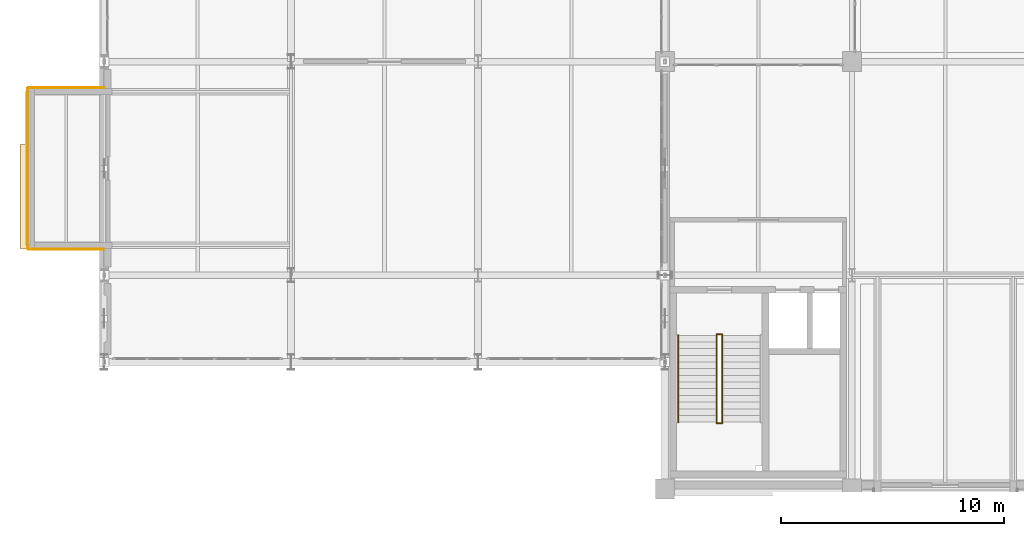
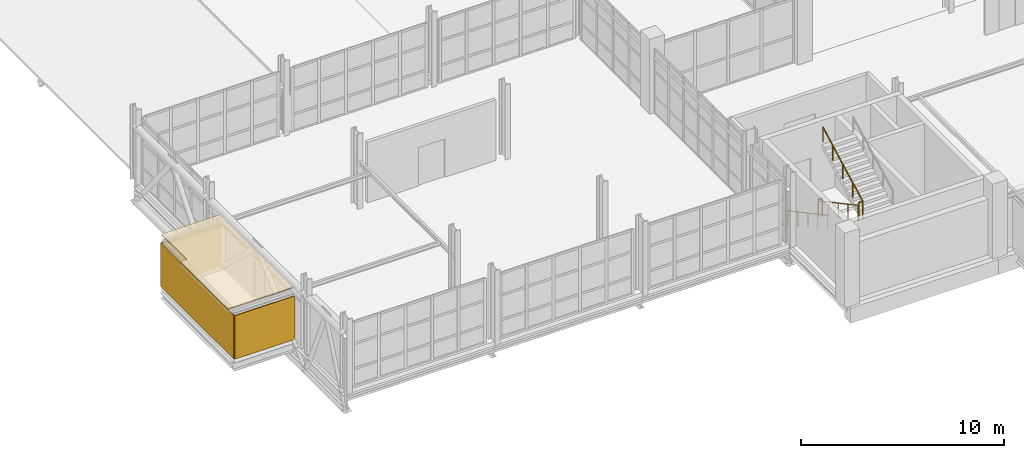
# One storey, part 124 of 130: 5 railings, 4 coverings.
"""IFC4 building model written with IfcOpenShell, lengths in metres."""

from ifc_helpers import new_model, si_unit, direction, frame, frame_2d, origin, origin_2d, place, context, subcontext, project, spatial, polyline, rectangle, circle, outline, extrude, material, layer, layer_set, type_object, element, save


model = new_model("IFC4")

# Units and contexts
model_context = context("Model", 3, precision=1e-05, world=origin(), true_north=direction((0.0, 1.0)))
body_context = subcontext(model_context, "Body", "Model", "MODEL_VIEW")
ifc_project = project(units=[si_unit("LENGTHUNIT", "METRE"), si_unit("AREAUNIT", "SQUARE_METRE"), si_unit("VOLUMEUNIT", "CUBIC_METRE"), si_unit("PLANEANGLEUNIT", "RADIAN"), si_unit("MASSUNIT", "GRAM", prefix="KILO")], contexts=[model_context])

# Site, building, storey
site_placement = place(None, origin())
site = spatial("IfcSite", under=ifc_project, at=site_placement, CompositionType="ELEMENT")
building_placement = place(site_placement, origin())
building = spatial("IfcBuilding", under=site, at=building_placement, Name="Veltarok Museum of Natural Sciences", CompositionType="ELEMENT")
storey_placement = place(building_placement, frame((0.0, 0.0, 12.89990234375)))
storey = spatial("IfcBuildingStorey", under=building, at=storey_placement, Name="L02", CompositionType="ELEMENT", Elevation=12.89990234375)

# Coverings
ifc_material_1 = material(Name="Corrugated zinc cladding")
ifc_layer_1 = layer(ifc_material_1, 0.044921875)
ifc_layer_set_1 = layer_set([ifc_layer_1], Name="Corrugated zinc cladding")
covering_type_1 = type_object("IfcCoveringType", Name="Corrugated Titanium-Zinc Rainscreen Cladding 45", PredefinedType="CLADDING", material=ifc_layer_set_1)
covering_1_placement = place(storey_placement, frame((2.97802734375, 18.0, 0.0), z_axis=(0.0, 0.0, 1.0), x_axis=(0.0, -1.0, 0.0)))
element("IfcCovering", 1, at=covering_1_placement, inside=storey, type_object=covering_type_1, Name="Corrugated Zinc Cladding DB-32-W", PredefinedType="CLADDING", context=body_context, shape_type="SweptSolid", body=[
    extrude(rectangle(XDim=7.199951171875, YDim=0.044921875, at=frame_2d((3.60009765625, 0.0))), origin(), (0.0, 0.0, 1.0), 2.6201171875),
])
for number, where, z_axis, x_axis, name in (
    (2, (3.0, 10.778076171875, 0.0), (0.0, 0.0, 1.0), (1.0, 0.0, 0.0), "Corrugated Zinc Cladding DB-32-S"),
    (3, (6.39990234375, 18.02197265625, 0.0), (0.0, 0.0, 1.0), (-1.0, 0.0, 0.0), "Corrugated Zinc Cladding DB-32-N"),
):
    element("IfcCovering", number, at=place(storey_placement, frame(where, z_axis=z_axis, x_axis=x_axis)), inside=storey, type_object=covering_type_1, Name=name, PredefinedType="CLADDING", context=body_context, shape_type="SweptSolid", body=[
        extrude(rectangle(XDim=3.39990234375, YDim=0.044921875, at=frame_2d((1.699951171875, 0.0))), origin(), (0.0, 0.0, 1.0), 2.6201171875),
    ])
ifc_material_2 = material(Name="EPDM waterproofing membrane")
ifc_layer_2 = layer(ifc_material_2, 0.06005859375)
ifc_layer_set_2 = layer_set([ifc_layer_2], Name="EPDM waterproofing membrane")
covering_type_2 = type_object("IfcCoveringType", Name="EPDM Waterproofing and Acoustic Roof Membrane 60", PredefinedType="ROOFING", material=ifc_layer_set_2)
covering_2_placement = place(storey_placement, frame((0.0, 0.0, 3.080078125)))
element("IfcCovering", 4, at=covering_2_placement, inside=storey, type_object=covering_type_2, Name="Cabinet Box Roof Membrane DB-32", PredefinedType="ROOFING", context=body_context, shape_type="SweptSolid", body=[
    extrude(outline(polyline([(2.6201171875, 10.800048828125), (6.39990234375, 10.800048828125), (6.39990234375, 18.0), (3.0, 18.0), (3.0, 15.47998046875), (2.6201171875, 15.47998046875), (2.6201171875, 10.800048828125)])), origin(), (0.0, 0.0, 1.0), 0.06005859375),
])

# Railings
ifc_material_3 = material(Name="Steel S355J2", Category="steel")
railing_type_1 = type_object("IfcRailingType", Name="Interior Atrium and Stairwell Guardrail 1100", PredefinedType="GUARDRAIL", material=ifc_material_3)
for number, where, name in (
    (5, (33.929931640625, 6.949951171875, 0.0), "Stairwell Floor Guard ST-01 L02"),
    (6, (33.929931640625, 2.93994140625, 2.25), "Landing Well Guard ST-01-L02-L1"),
):
    element("IfcRailing", number, at=place(storey_placement, frame(where)), inside=storey, type_object=railing_type_1, Name=name, PredefinedType="GUARDRAIL", context=body_context, shape_type="SweptSolid", body=[
        extrude(circle(Radius=0.02392578125, at=origin_2d()), frame((0.0, 0.0, 1.076171875), z_axis=(1.0, 0.0, 0.0), x_axis=(0.0, 1.0, 0.0)), (0.0, 0.0, 1.0), 0.239990234375),
        extrude(circle(Radius=0.02099609375, at=origin_2d()), origin(), (0.0, 0.0, 1.0), 1.052001953125),
        extrude(circle(Radius=0.02099609375, at=origin_2d()), frame((0.239990234375, 0.0, 0.0)), (0.0, 0.0, 1.0), 1.052001953125),
    ])
railing_type_2 = type_object("IfcRailingType", Name="Stair Flight Tubular Steel Handrail 900", PredefinedType="HANDRAIL", material=ifc_material_3)
for number, where, name in (
    (7, (32.199951171875, 6.89990234375, 0.160888671875), "Stair Handrail ST-01-L02-F1L"),
    (8, (33.919921875, 6.89990234375, 0.160888671875), "Stair Handrail ST-01-L02-F1R"),
):
    element("IfcRailing", number, at=place(storey_placement, frame(where)), inside=storey, type_object=railing_type_2, Name=name, PredefinedType="HANDRAIL", context=body_context, shape_type="SweptSolid", body=[
        extrude(circle(Radius=0.02392578125, at=origin_2d()), frame((0.0, 0.0, 0.8759765625), z_axis=(0.0, -0.881491454809, 0.472199973632), x_axis=(1.0, 0.0, 0.0)), (0.0, 0.0, 1.0), 4.42431640625),
        extrude(circle(Radius=0.02099609375, at=origin_2d()), origin(), (0.0, 0.0, 1.0), 0.851806640625),
        extrude(circle(Radius=0.02099609375, at=origin_2d()), frame((0.0, -0.97509765625, 0.522216796875)), (0.0, 0.0, 1.0), 0.851806640625),
        extrude(circle(Radius=0.02099609375, at=origin_2d()), frame((0.0, -1.949951171875, 1.04443359375)), (0.0, 0.0, 1.0), 0.851806640625),
        extrude(circle(Radius=0.02099609375, at=origin_2d()), frame((0.0, -2.9248046875, 1.56689453125)), (0.0, 0.0, 1.0), 0.851806640625),
        extrude(circle(Radius=0.02099609375, at=origin_2d()), frame((0.0, -3.89990234375, 2.089111328125)), (0.0, 0.0, 1.0), 0.851806640625),
    ])
railing_placement = place(storey_placement, frame((34.179931640625, 3.0, 2.410888671875)))
element("IfcRailing", 9, at=railing_placement, inside=storey, type_object=railing_type_2, Name="Stair Handrail ST-01-L02-F2L", PredefinedType="HANDRAIL", context=body_context, shape_type="SweptSolid", body=[
    extrude(circle(Radius=0.02392578125, at=origin_2d()), frame((0.0, 0.0, 0.8759765625), z_axis=(0.0, 0.881491454809, 0.472199973632), x_axis=(-1.0, 0.0, 0.0)), (0.0, 0.0, 1.0), 4.42431640625),
    extrude(circle(Radius=0.02099609375, at=origin_2d()), origin(), (0.0, 0.0, 1.0), 0.851806640625),
    extrude(circle(Radius=0.02099609375, at=origin_2d()), frame((0.0, 0.97509765625, 0.522216796875)), (0.0, 0.0, 1.0), 0.851806640625),
    extrude(circle(Radius=0.02099609375, at=origin_2d()), frame((0.0, 1.949951171875, 1.04443359375)), (0.0, 0.0, 1.0), 0.851806640625),
    extrude(circle(Radius=0.02099609375, at=origin_2d()), frame((0.0, 2.9248046875, 1.56689453125)), (0.0, 0.0, 1.0), 0.851806640625),
    extrude(circle(Radius=0.02099609375, at=origin_2d()), frame((0.0, 3.89990234375, 2.089111328125)), (0.0, 0.0, 1.0), 0.851806640625),
])

save(model, "model.ifc")
